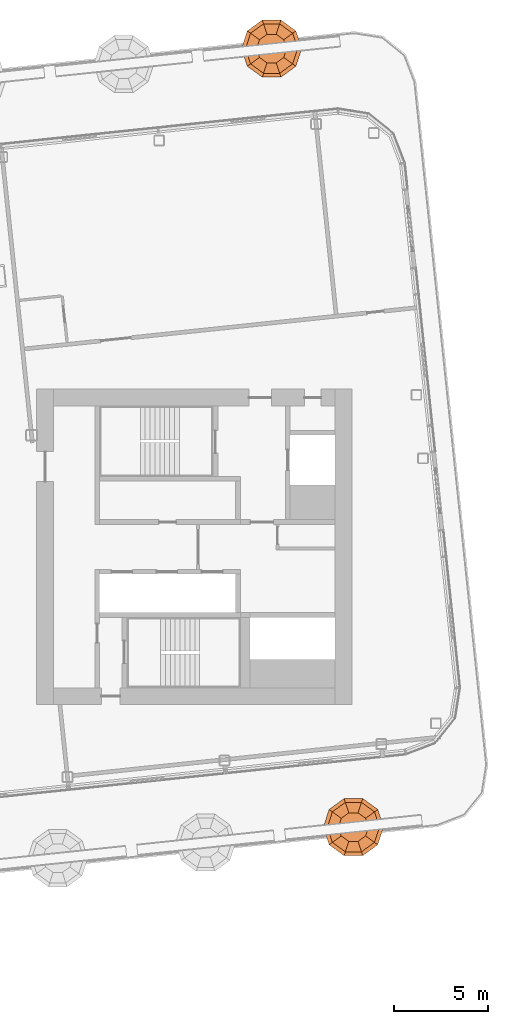
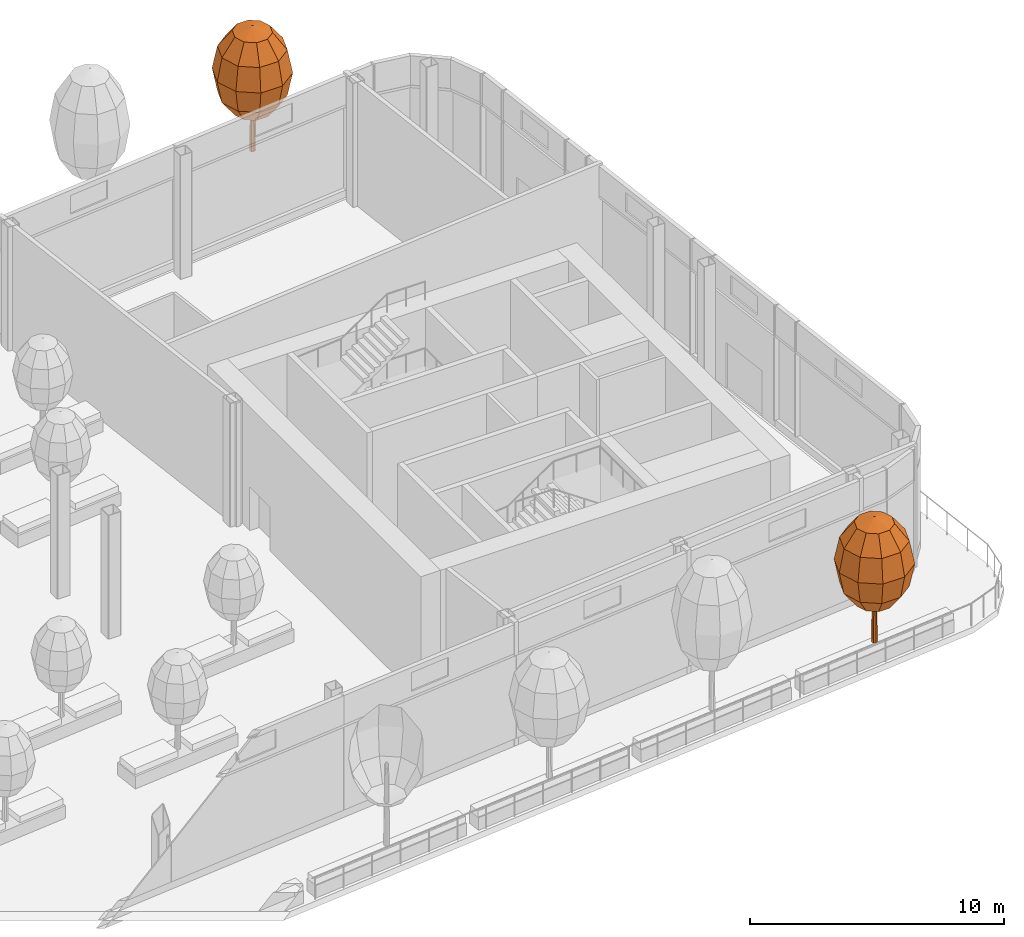
# One storey, part 42 of 42: 2 geographic elements.
"""IFC4 building model written with IfcOpenShell, lengths in metres."""

from ifc_helpers import new_model, si_unit, direction, frame, origin, place, context, subcontext, project, spatial, triangles, material, type_object, element, save


model = new_model("IFC4")

# Units and contexts
model_context = context("Model", 3, precision=1e-05, world=origin(), true_north=direction((0.0, 1.0)))
body_context = subcontext(model_context, "Body", "Model", "MODEL_VIEW")
ifc_project = project(units=[si_unit("LENGTHUNIT", "METRE"), si_unit("AREAUNIT", "SQUARE_METRE"), si_unit("VOLUMEUNIT", "CUBIC_METRE"), si_unit("PLANEANGLEUNIT", "RADIAN"), si_unit("MASSUNIT", "GRAM", prefix="KILO")], contexts=[model_context])

# Site, building, storey
site_placement = place(None, origin())
site = spatial("IfcSite", under=ifc_project, at=site_placement, CompositionType="ELEMENT")
building_placement = place(site_placement, origin())
building = spatial("IfcBuilding", under=site, at=building_placement, Name="Hakoniwa Tower and Hamabe Station Hall", CompositionType="ELEMENT")
storey_placement = place(building_placement, frame((0.0, 0.0, 232.60009765625)))
storey = spatial("IfcBuildingStorey", under=building, at=storey_placement, Name="L66", CompositionType="ELEMENT", Elevation=232.60009765625)

# Geographic elements
ifc_material = material(Name="Tree foliage")
geographic_element_type = type_object("IfcGeographicElementType", Name="Osmanthus 6.0 m", PredefinedType="USERDEFINED", material=ifc_material)
geographic_element_1_placement = place(storey_placement, frame((29.3115234375, 26.536865234375, 0.89990234375)))
element("IfcGeographicElement", 1, at=geographic_element_1_placement, inside=storey, type_object=geographic_element_type, Name="Osmanthus 6-0 m", ObjectType="TREE", PredefinedType="USERDEFINED", context=body_context, shape_type="Tessellation", body=[
    triangles([(0.125, 0.0, 0.0), (0.08837890625, 0.08837890625, 0.0), (0.0, 0.125, 0.0), (-0.08837890625, 0.08837890625, 0.0), (-0.125, 0.0, 0.0), (-0.08837890625, -0.08837890625, 0.0), (0.0, -0.125, 0.0), (0.08837890625, -0.08837890625, 0.0), (0.074951171875, 0.0, 3.6240234375), (0.052978515625, 0.052978515625, 3.6240234375), (0.0, 0.074951171875, 3.6240234375), (-0.052978515625, 0.052978515625, 3.6240234375), (-0.074951171875, 0.0, 3.6240234375), (-0.052978515625, -0.052978515625, 3.6240234375), (0.0, -0.074951171875, 3.6240234375), (0.052978515625, -0.052978515625, 3.6240234375), (0.0, 0.0, 0.0), (0.0, 0.0, 3.6240234375)], [[1, 2, 10], [1, 10, 9], [17, 2, 1], [18, 9, 10], [2, 3, 11], [2, 11, 10], [17, 3, 2], [18, 10, 11], [3, 4, 12], [3, 12, 11], [17, 4, 3], [18, 11, 12], [4, 5, 13], [4, 13, 12], [17, 5, 4], [18, 12, 13], [5, 6, 14], [5, 14, 13], [17, 6, 5], [18, 13, 14], [6, 7, 15], [6, 15, 14], [17, 7, 6], [18, 14, 15], [7, 8, 16], [7, 16, 15], [17, 8, 7], [18, 15, 16], [8, 1, 9], [8, 9, 16], [17, 1, 8], [18, 16, 9]], closed=True),
    triangles([(0.0, 0.0, 1.679931640625), (0.800048828125, 0.0, 1.969482421875), (0.647216796875, 0.47021484375, 1.969482421875), (0.247314453125, 0.7607421875, 1.969482421875), (-0.247314453125, 0.7607421875, 1.969482421875), (-0.647216796875, 0.47021484375, 1.969482421875), (-0.800048828125, 0.0, 1.969482421875), (-0.647216796875, -0.47021484375, 1.969482421875), (-0.247314453125, -0.7607421875, 1.969482421875), (0.247314453125, -0.7607421875, 1.969482421875), (0.647216796875, -0.47021484375, 1.969482421875), (1.385498046875, 0.0, 2.760009765625), (1.12109375, 0.814453125, 2.760009765625), (0.42822265625, 1.31787109375, 2.760009765625), (-0.42822265625, 1.31787109375, 2.760009765625), (-1.12109375, 0.814453125, 2.760009765625), (-1.385498046875, 0.0, 2.760009765625), (-1.12109375, -0.814453125, 2.760009765625), (-0.42822265625, -1.31787109375, 2.760009765625), (0.42822265625, -1.31787109375, 2.760009765625), (1.12109375, -0.814453125, 2.760009765625), (1.60009765625, 0.0, 3.840087890625), (1.29443359375, 0.9404296875, 3.840087890625), (0.494384765625, 1.521728515625, 3.840087890625), (-0.494384765625, 1.521728515625, 3.840087890625), (-1.29443359375, 0.9404296875, 3.840087890625), (-1.60009765625, 0.0, 3.840087890625), (-1.29443359375, -0.9404296875, 3.840087890625), (-0.494384765625, -1.521728515625, 3.840087890625), (0.494384765625, -1.521728515625, 3.840087890625), (1.29443359375, -0.9404296875, 3.840087890625), (1.385498046875, 0.0, 4.919921875), (1.12109375, 0.814453125, 4.919921875), (0.42822265625, 1.31787109375, 4.919921875), (-0.42822265625, 1.31787109375, 4.919921875), (-1.12109375, 0.814453125, 4.919921875), (-1.385498046875, 0.0, 4.919921875), (-1.12109375, -0.814453125, 4.919921875), (-0.42822265625, -1.31787109375, 4.919921875), (0.42822265625, -1.31787109375, 4.919921875), (1.12109375, -0.814453125, 4.919921875), (0.800048828125, 0.0, 5.710693359375), (0.647216796875, 0.47021484375, 5.710693359375), (0.247314453125, 0.7607421875, 5.710693359375), (-0.247314453125, 0.7607421875, 5.710693359375), (-0.647216796875, 0.47021484375, 5.710693359375), (-0.800048828125, 0.0, 5.710693359375), (-0.647216796875, -0.47021484375, 5.710693359375), (-0.247314453125, -0.7607421875, 5.710693359375), (0.247314453125, -0.7607421875, 5.710693359375), (0.647216796875, -0.47021484375, 5.710693359375), (0.0, 0.0, 6.0)], [[1, 3, 2], [1, 4, 3], [1, 5, 4], [1, 6, 5], [1, 7, 6], [1, 8, 7], [1, 9, 8], [1, 10, 9], [1, 11, 10], [1, 2, 11], [2, 3, 13], [2, 13, 12], [3, 4, 14], [3, 14, 13], [4, 5, 15], [4, 15, 14], [5, 6, 16], [5, 16, 15], [6, 7, 17], [6, 17, 16], [7, 8, 18], [7, 18, 17], [8, 9, 19], [8, 19, 18], [9, 10, 20], [9, 20, 19], [10, 11, 21], [10, 21, 20], [11, 2, 12], [11, 12, 21], [12, 13, 23], [12, 23, 22], [13, 14, 24], [13, 24, 23], [14, 15, 25], [14, 25, 24], [15, 16, 26], [15, 26, 25], [16, 17, 27], [16, 27, 26], [17, 18, 28], [17, 28, 27], [18, 19, 29], [18, 29, 28], [19, 20, 30], [19, 30, 29], [20, 21, 31], [20, 31, 30], [21, 12, 22], [21, 22, 31], [22, 23, 33], [22, 33, 32], [23, 24, 34], [23, 34, 33], [24, 25, 35], [24, 35, 34], [25, 26, 36], [25, 36, 35], [26, 27, 37], [26, 37, 36], [27, 28, 38], [27, 38, 37], [28, 29, 39], [28, 39, 38], [29, 30, 40], [29, 40, 39], [30, 31, 41], [30, 41, 40], [31, 22, 32], [31, 32, 41], [32, 33, 43], [32, 43, 42], [33, 34, 44], [33, 44, 43], [34, 35, 45], [34, 45, 44], [35, 36, 46], [35, 46, 45], [36, 37, 47], [36, 47, 46], [37, 38, 48], [37, 48, 47], [38, 39, 49], [38, 49, 48], [39, 40, 50], [39, 50, 49], [40, 41, 51], [40, 51, 50], [41, 32, 42], [41, 42, 51], [52, 42, 43], [52, 43, 44], [52, 44, 45], [52, 45, 46], [52, 46, 47], [52, 47, 48], [52, 48, 49], [52, 49, 50], [52, 50, 51], [52, 51, 42]], closed=True),
])
geographic_element_2_placement = place(storey_placement, frame((33.668701171875, -14.91748046875, 0.89990234375)))
element("IfcGeographicElement", 2, at=geographic_element_2_placement, inside=storey, type_object=geographic_element_type, Name="Osmanthus 6-0 m", ObjectType="TREE", PredefinedType="USERDEFINED", context=body_context, shape_type="Tessellation", body=[
    triangles([(0.125, 0.0, 0.0), (0.08837890625, 0.08837890625, 0.0), (0.0, 0.125, 0.0), (-0.08837890625, 0.08837890625, 0.0), (-0.125, 0.0, 0.0), (-0.08837890625, -0.08837890625, 0.0), (0.0, -0.125, 0.0), (0.08837890625, -0.08837890625, 0.0), (0.074951171875, 0.0, 3.6240234375), (0.052978515625, 0.052978515625, 3.6240234375), (0.0, 0.074951171875, 3.6240234375), (-0.052978515625, 0.052978515625, 3.6240234375), (-0.074951171875, 0.0, 3.6240234375), (-0.052978515625, -0.052978515625, 3.6240234375), (0.0, -0.074951171875, 3.6240234375), (0.052978515625, -0.052978515625, 3.6240234375), (0.0, 0.0, 0.0), (0.0, 0.0, 3.6240234375)], [[1, 2, 10], [1, 10, 9], [17, 2, 1], [18, 9, 10], [2, 3, 11], [2, 11, 10], [17, 3, 2], [18, 10, 11], [3, 4, 12], [3, 12, 11], [17, 4, 3], [18, 11, 12], [4, 5, 13], [4, 13, 12], [17, 5, 4], [18, 12, 13], [5, 6, 14], [5, 14, 13], [17, 6, 5], [18, 13, 14], [6, 7, 15], [6, 15, 14], [17, 7, 6], [18, 14, 15], [7, 8, 16], [7, 16, 15], [17, 8, 7], [18, 15, 16], [8, 1, 9], [8, 9, 16], [17, 1, 8], [18, 16, 9]], closed=True),
    triangles([(0.0, 0.0, 1.679931640625), (0.800048828125, 0.0, 1.969482421875), (0.647216796875, 0.47021484375, 1.969482421875), (0.247314453125, 0.7607421875, 1.969482421875), (-0.247314453125, 0.7607421875, 1.969482421875), (-0.647216796875, 0.47021484375, 1.969482421875), (-0.800048828125, 0.0, 1.969482421875), (-0.647216796875, -0.47021484375, 1.969482421875), (-0.247314453125, -0.7607421875, 1.969482421875), (0.247314453125, -0.7607421875, 1.969482421875), (0.647216796875, -0.47021484375, 1.969482421875), (1.385498046875, 0.0, 2.760009765625), (1.12109375, 0.814453125, 2.760009765625), (0.42822265625, 1.31787109375, 2.760009765625), (-0.42822265625, 1.31787109375, 2.760009765625), (-1.12109375, 0.814453125, 2.760009765625), (-1.385498046875, 0.0, 2.760009765625), (-1.12109375, -0.814453125, 2.760009765625), (-0.42822265625, -1.31787109375, 2.760009765625), (0.42822265625, -1.31787109375, 2.760009765625), (1.12109375, -0.814453125, 2.760009765625), (1.60009765625, 0.0, 3.840087890625), (1.29443359375, 0.9404296875, 3.840087890625), (0.494384765625, 1.521728515625, 3.840087890625), (-0.494384765625, 1.521728515625, 3.840087890625), (-1.29443359375, 0.9404296875, 3.840087890625), (-1.60009765625, 0.0, 3.840087890625), (-1.29443359375, -0.9404296875, 3.840087890625), (-0.494384765625, -1.521728515625, 3.840087890625), (0.494384765625, -1.521728515625, 3.840087890625), (1.29443359375, -0.9404296875, 3.840087890625), (1.385498046875, 0.0, 4.919921875), (1.12109375, 0.814453125, 4.919921875), (0.42822265625, 1.31787109375, 4.919921875), (-0.42822265625, 1.31787109375, 4.919921875), (-1.12109375, 0.814453125, 4.919921875), (-1.385498046875, 0.0, 4.919921875), (-1.12109375, -0.814453125, 4.919921875), (-0.42822265625, -1.31787109375, 4.919921875), (0.42822265625, -1.31787109375, 4.919921875), (1.12109375, -0.814453125, 4.919921875), (0.800048828125, 0.0, 5.710693359375), (0.647216796875, 0.47021484375, 5.710693359375), (0.247314453125, 0.7607421875, 5.710693359375), (-0.247314453125, 0.7607421875, 5.710693359375), (-0.647216796875, 0.47021484375, 5.710693359375), (-0.800048828125, 0.0, 5.710693359375), (-0.647216796875, -0.47021484375, 5.710693359375), (-0.247314453125, -0.7607421875, 5.710693359375), (0.247314453125, -0.7607421875, 5.710693359375), (0.647216796875, -0.47021484375, 5.710693359375), (0.0, 0.0, 6.0)], [[1, 3, 2], [1, 4, 3], [1, 5, 4], [1, 6, 5], [1, 7, 6], [1, 8, 7], [1, 9, 8], [1, 10, 9], [1, 11, 10], [1, 2, 11], [2, 3, 13], [2, 13, 12], [3, 4, 14], [3, 14, 13], [4, 5, 15], [4, 15, 14], [5, 6, 16], [5, 16, 15], [6, 7, 17], [6, 17, 16], [7, 8, 18], [7, 18, 17], [8, 9, 19], [8, 19, 18], [9, 10, 20], [9, 20, 19], [10, 11, 21], [10, 21, 20], [11, 2, 12], [11, 12, 21], [12, 13, 23], [12, 23, 22], [13, 14, 24], [13, 24, 23], [14, 15, 25], [14, 25, 24], [15, 16, 26], [15, 26, 25], [16, 17, 27], [16, 27, 26], [17, 18, 28], [17, 28, 27], [18, 19, 29], [18, 29, 28], [19, 20, 30], [19, 30, 29], [20, 21, 31], [20, 31, 30], [21, 12, 22], [21, 22, 31], [22, 23, 33], [22, 33, 32], [23, 24, 34], [23, 34, 33], [24, 25, 35], [24, 35, 34], [25, 26, 36], [25, 36, 35], [26, 27, 37], [26, 37, 36], [27, 28, 38], [27, 38, 37], [28, 29, 39], [28, 39, 38], [29, 30, 40], [29, 40, 39], [30, 31, 41], [30, 41, 40], [31, 22, 32], [31, 32, 41], [32, 33, 43], [32, 43, 42], [33, 34, 44], [33, 44, 43], [34, 35, 45], [34, 45, 44], [35, 36, 46], [35, 46, 45], [36, 37, 47], [36, 47, 46], [37, 38, 48], [37, 48, 47], [38, 39, 49], [38, 49, 48], [39, 40, 50], [39, 50, 49], [40, 41, 51], [40, 51, 50], [41, 32, 42], [41, 42, 51], [52, 42, 43], [52, 43, 44], [52, 44, 45], [52, 45, 46], [52, 46, 47], [52, 47, 48], [52, 48, 49], [52, 49, 50], [52, 50, 51], [52, 51, 42]], closed=True),
])

save(model, "model.ifc")
